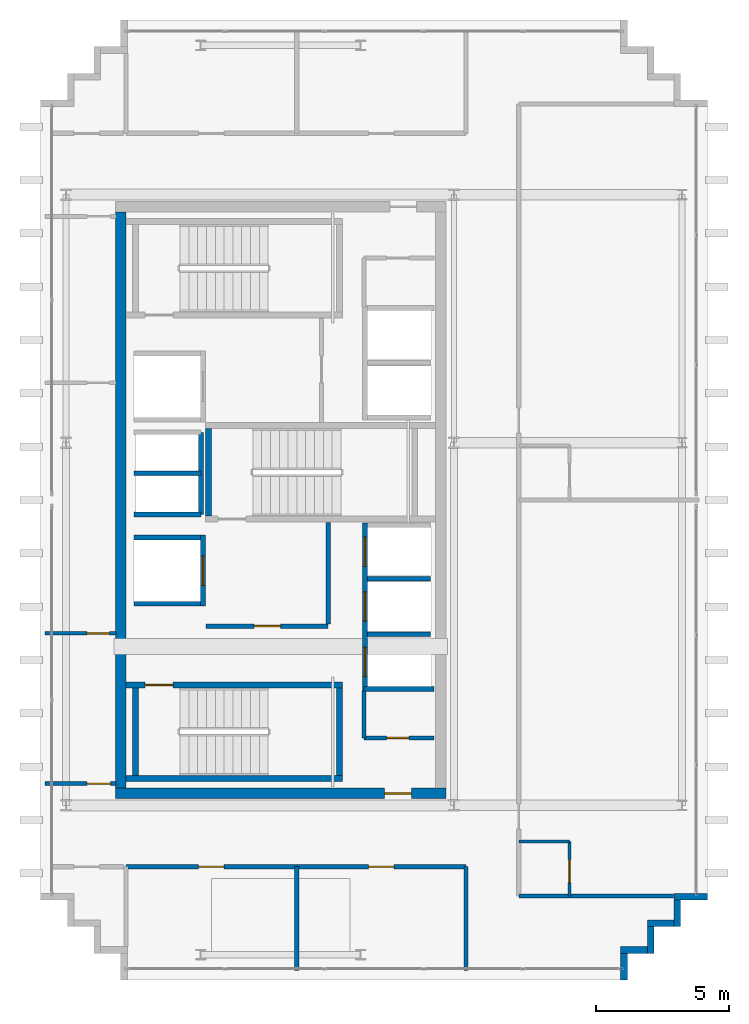
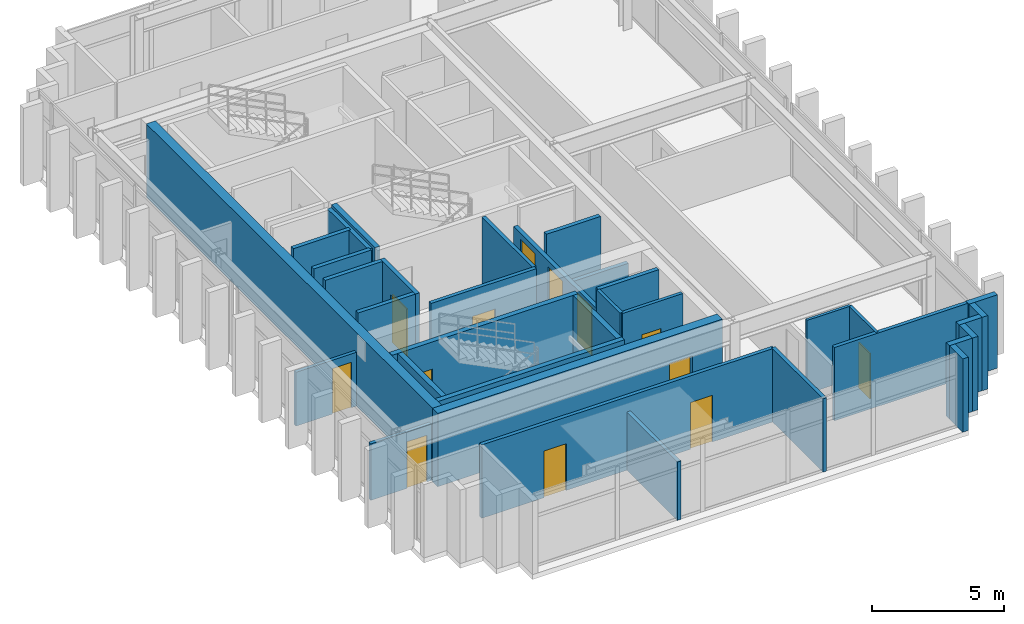
# One storey, part 12 of 15: 35 walls, 13 doors, 13 openings.
"""IFC4 building model written with IfcOpenShell, lengths in metres."""

from ifc_helpers import new_model, si_unit, direction, frame, frame_2d, origin, place, context, subcontext, project, spatial, rectangle, extrude, source, transform, mapped, material, layer, layer_set, type_object, element, fill, save


model = new_model("IFC4")

# Units and contexts
model_context = context("Model", 3, precision=1e-05, world=origin(), true_north=direction((0.0, 1.0)))
body_context = subcontext(model_context, "Body", "Model", "MODEL_VIEW")
ifc_project = project(units=[si_unit("LENGTHUNIT", "METRE"), si_unit("AREAUNIT", "SQUARE_METRE"), si_unit("VOLUMEUNIT", "CUBIC_METRE"), si_unit("PLANEANGLEUNIT", "RADIAN"), si_unit("MASSUNIT", "GRAM", prefix="KILO")], contexts=[model_context])

# Site, building, storey
site_placement = place(None, origin())
site = spatial("IfcSite", under=ifc_project, at=site_placement, CompositionType="ELEMENT")
building_placement = place(site_placement, origin())
building = spatial("IfcBuilding", under=site, at=building_placement, Name="Ocotamira Hotel", CompositionType="ELEMENT")
storey_placement = place(building_placement, frame((0.0, 0.0, 294.0)))
storey = spatial("IfcBuildingStorey", under=building, at=storey_placement, Name="L75", CompositionType="ELEMENT", Elevation=294.0)

# Wall, opening, door
ifc_material_1 = material(Name="Concrete C50/60", Category="concrete")
ifc_layer_1 = layer(ifc_material_1, 0.39990234375)
ifc_layer_set_1 = layer_set([ifc_layer_1], Name="Concrete C50/60")
wall_type_1 = type_object("IfcWallType", Name="WL-CORE-400", PredefinedType="SHEAR", material=ifc_layer_set_1)
wall_1_placement = place(storey_placement, frame((10.800048828125, 15.0, 0.0), z_axis=(0.0, 0.0, 1.0), x_axis=(1.0, 0.0, 0.0)))
wall_1 = element("IfcWall", 1, at=wall_1_placement, inside=storey, type_object=wall_type_1, Name="L75 Shear Core Wall WCORE-S", PredefinedType="SHEAR", context=body_context, shape_type="SweptSolid", body=[
    extrude(rectangle(XDim=12.39990234375, YDim=0.39990234375, at=frame_2d((6.199951171875, 0.0))), origin(), (0.0, 0.0, 1.0), 3.3798828125),
])
opening_1_placement = place(wall_1_placement, frame((10.10009765625, 0.0, 0.0)))
opening_1 = element("IfcOpeningElement", 2, at=opening_1_placement, cuts=wall_1, Name="Opening D-FR2", PredefinedType="OPENING", context=body_context, shape_type="SweptSolid", body=[
    extrude(rectangle(XDim=1.0, YDim=2.14990234375, at=frame_2d((0.5, 1.074951171875))), frame((0.0, 0.2099609375, 0.0), z_axis=(0.0, -1.0, 0.0), x_axis=(1.0, 0.0, 0.0)), (0.0, 0.0, 1.0), 0.419921875),
])
ifc_material_2 = material(Name="Fire-rated acoustic timber-veneer door", Category="wood")
door_type_1 = type_object("IfcDoorType", Name="DR-FIRE-1000", OperationType="NOTDEFINED", PredefinedType="DOOR", material=ifc_material_2)
shared_shape_1 = source(origin(), body_context, "Body", "SweptSolid", [
    extrude(rectangle(XDim=1.0, YDim=2.14990234375, at=frame_2d((0.5, 1.074951171875))), frame((0.0, 0.02490234375, 0.0), z_axis=(0.0, -1.0, 0.0), x_axis=(1.0, 0.0, 0.0)), (0.0, 0.0, 1.0), 0.050048828125),
])
door_1_placement = place(opening_1_placement, origin())
door_1 = element("IfcDoor", 3, at=door_1_placement, inside=storey, type_object=door_type_1, Name="L75 Door ID-L75-WLOB-S-D [ID-L75-WLOB-S-D]", OperationType="SINGLE_SWING_LEFT", OverallHeight=2.14990234375, OverallWidth=1.0, PredefinedType="DOOR", context=body_context, shape_type="MappedRepresentation", body=[
    mapped(shared_shape_1, transform((0.0, 0.0, 0.0), scale=1.0)),
])
fill(opening_1, door_1)

# Walls
wall_2_placement = place(storey_placement, frame((11.0, 15.199951171875, 0.0), z_axis=(0.0, 0.0, 1.0), x_axis=(0.0, 1.0, 0.0)))
element("IfcWall", 4, at=wall_2_placement, inside=storey, type_object=wall_type_1, Name="L75 Shear Core Wall WCORE-W", PredefinedType="SHEAR", context=body_context, shape_type="SweptSolid", body=[
    extrude(rectangle(XDim=21.60009765625, YDim=0.39990234375, at=frame_2d((10.800048828125, 0.0))), origin(), (0.0, 0.0, 1.0), 3.3798828125),
])
ifc_material_3 = material(Name="Precast concrete C45/55", Category="concrete")
ifc_layer_2 = layer(ifc_material_3, 0.25)
ifc_layer_set_2 = layer_set([ifc_layer_2], Name="Precast concrete C45/55")
wall_type_2 = type_object("IfcWallType", Name="WL-EXT-SER-250", PredefinedType="SOLIDWALL", material=ifc_layer_set_2)
for number, where, z_axis, x_axis, name in (
    (5, (29.875, 8.0, 0.0), (0.0, 0.0, 1.0), (0.0, 1.0, 0.0), "L75 Serrated Corner Wall 01"),
    (6, (29.75, 9.125, 0.0), (0.0, 0.0, 1.0), (1.0, 0.0, 0.0), "L75 Serrated Corner Wall 02"),
    (7, (30.875, 9.0, 0.0), (0.0, 0.0, 1.0), (0.0, 1.0, 0.0), "L75 Serrated Corner Wall 03"),
    (8, (30.75, 10.125, 0.0), (0.0, 0.0, 1.0), (1.0, 0.0, 0.0), "L75 Serrated Corner Wall 04"),
    (9, (31.875, 10.0, 0.0), (0.0, 0.0, 1.0), (0.0, 1.0, 0.0), "L75 Serrated Corner Wall 05"),
):
    element("IfcWall", number, at=place(storey_placement, frame(where, z_axis=z_axis, x_axis=x_axis)), inside=storey, type_object=wall_type_2, Name=name, PredefinedType="SOLIDWALL", context=body_context, shape_type="SweptSolid", body=[
        extrude(rectangle(XDim=1.0, YDim=0.25, at=frame_2d((0.5, 0.0))), origin(), (0.0, 0.0, 1.0), 3.3798828125),
    ])
wall_3_placement = place(storey_placement, frame((31.75, 11.125, 0.0), z_axis=(0.0, 0.0, 1.0), x_axis=(1.0, 0.0, 0.0)))
element("IfcWall", 10, at=wall_3_placement, inside=storey, type_object=wall_type_2, Name="L75 Serrated Corner Wall 06", PredefinedType="SOLIDWALL", context=body_context, shape_type="SweptSolid", body=[
    extrude(rectangle(XDim=1.25, YDim=0.25, at=frame_2d((0.625, 0.0))), origin(), (0.0, 0.0, 1.0), 3.3798828125),
])

# Wall, opening, door
ifc_material_4 = material(Name="Acoustic double-layer fire gypsum board partition", Category="gypsum")
ifc_layer_3 = layer(ifc_material_4, 0.159912109375)
ifc_layer_set_3 = layer_set([ifc_layer_3], Name="Acoustic double-layer fire gypsum board partition")
wall_type_3 = type_object("IfcWallType", Name="WL-FIRE-160", PredefinedType="PARTITIONING", material=ifc_layer_set_3)
wall_4_placement = place(storey_placement, frame((14.199951171875, 21.27001953125, 0.0), z_axis=(0.0, 0.0, 1.0), x_axis=(1.0, 0.0, 0.0)))
wall_4 = element("IfcWall", 11, at=wall_4_placement, inside=storey, type_object=wall_type_3, Name="L75 Interior Wall PW-L75-FSAE1-S", PredefinedType="PARTITIONING", context=body_context, shape_type="SweptSolid", body=[
    extrude(rectangle(XDim=4.580078125, YDim=0.159912109375, at=frame_2d((2.2900390625, 0.0))), origin(), (0.0, 0.0, 1.0), 3.3798828125),
])
opening_2_placement = place(wall_4_placement, frame((1.800048828125, 0.0, 0.0)))
opening_2 = element("IfcOpeningElement", 12, at=opening_2_placement, cuts=wall_4, Name="Opening D-FR2", PredefinedType="OPENING", context=body_context, shape_type="SweptSolid", body=[
    extrude(rectangle(XDim=1.0, YDim=2.14990234375, at=frame_2d((0.5, 1.074951171875))), frame((0.0, 0.08984375, 0.0), z_axis=(0.0, -1.0, 0.0), x_axis=(1.0, 0.0, 0.0)), (0.0, 0.0, 1.0), 0.179931640625),
])
door_2_placement = place(opening_2_placement, origin())
door_2 = element("IfcDoor", 13, at=door_2_placement, inside=storey, type_object=door_type_1, Name="L75 Door ID-L75-FSAE1-D [ID-L75-FSAE1-D]", OperationType="SINGLE_SWING_LEFT", OverallHeight=2.14990234375, OverallWidth=1.0, PredefinedType="DOOR", context=body_context, shape_type="MappedRepresentation", body=[
    mapped(shared_shape_1, transform((0.0, 0.0, 0.0), scale=1.0)),
])
fill(opening_2, door_2)

# Wall
wall_5_placement = place(storey_placement, frame((18.780029296875, 21.35009765625, 0.0), z_axis=(0.0, 0.0, 1.0), x_axis=(0.0, 1.0, 0.0)))
element("IfcWall", 14, at=wall_5_placement, inside=storey, type_object=wall_type_3, Name="L75 Interior Wall PW-L75-FSAE1-E", PredefinedType="PARTITIONING", context=body_context, shape_type="SweptSolid", body=[
    extrude(rectangle(XDim=3.809814453125, YDim=0.159912109375, at=frame_2d((1.90478515625, 0.0))), origin(), (0.0, 0.0, 1.0), 3.3798828125),
])

# Wall, openings, doors
wall_6_placement = place(storey_placement, frame((11.199951171875, 12.25, 0.0), z_axis=(0.0, 0.0, 1.0), x_axis=(1.0, 0.0, 0.0)))
wall_6 = element("IfcWall", 15, at=wall_6_placement, inside=storey, type_object=wall_type_3, Name="L75 Interior Wall PW-L75-WP2S-CORRW", PredefinedType="PARTITIONING", context=body_context, shape_type="SweptSolid", body=[
    extrude(rectangle(XDim=12.75, YDim=0.159912109375, at=frame_2d((6.375, 0.0))), origin(), (0.0, 0.0, 1.0), 3.3798828125),
])
opening_3_placement = place(wall_6_placement, frame((2.719970703125, 0.0, 0.0)))
opening_3 = element("IfcOpeningElement", 16, at=opening_3_placement, cuts=wall_6, Name="Opening D-SV4", PredefinedType="OPENING", context=body_context, shape_type="SweptSolid", body=[
    extrude(rectangle(XDim=0.9599609375, YDim=2.14990234375, at=frame_2d((0.47998046875, 1.074951171875))), frame((0.0, 0.08984375, 0.0), z_axis=(0.0, -1.0, 0.0), x_axis=(1.0, 0.0, 0.0)), (0.0, 0.0, 1.0), 0.179931640625),
])
opening_4_placement = place(wall_6_placement, frame((9.094970703125, 0.0, 0.0)))
opening_4 = element("IfcOpeningElement", 17, at=opening_4_placement, cuts=wall_6, Name="Opening D-SV4", PredefinedType="OPENING", context=body_context, shape_type="SweptSolid", body=[
    extrude(rectangle(XDim=0.9599609375, YDim=2.14990234375, at=frame_2d((0.47998046875, 1.074951171875))), frame((0.0, 0.08984375, 0.0), z_axis=(0.0, -1.0, 0.0), x_axis=(1.0, 0.0, 0.0)), (0.0, 0.0, 1.0), 0.179931640625),
])
ifc_material_5 = material(Name="Fire-rated accessible walnut salon door", Category="wood")
door_type_2 = type_object("IfcDoorType", Name="DR-SERV-960", OperationType="NOTDEFINED", PredefinedType="DOOR", material=ifc_material_5)
shared_shape_2 = source(origin(), body_context, "Body", "SweptSolid", [
    extrude(rectangle(XDim=0.9599609375, YDim=2.14990234375, at=frame_2d((0.47998046875, 1.074951171875))), frame((0.0, 0.02490234375, 0.0), z_axis=(0.0, -1.0, 0.0), x_axis=(1.0, 0.0, 0.0)), (0.0, 0.0, 1.0), 0.050048828125),
])
door_3_placement = place(opening_3_placement, origin())
door_3 = element("IfcDoor", 18, at=door_3_placement, inside=storey, type_object=door_type_2, Name="L75 Door ID-L75-WP2S-AMD1 [ID-L75-WP2S-AMD1]", OperationType="SINGLE_SWING_LEFT", OverallHeight=2.14990234375, OverallWidth=0.9599609375, PredefinedType="DOOR", context=body_context, shape_type="MappedRepresentation", body=[
    mapped(shared_shape_2, transform((0.0, 0.0, 0.0), scale=1.0)),
])
fill(opening_3, door_3)
door_4_placement = place(opening_4_placement, origin())
door_4 = element("IfcDoor", 19, at=door_4_placement, inside=storey, type_object=door_type_2, Name="L75 Door ID-L75-WP2S-AMD2 [ID-L75-WP2S-AMD2]", OperationType="SINGLE_SWING_RIGHT", OverallHeight=2.14990234375, OverallWidth=0.9599609375, PredefinedType="DOOR", context=body_context, shape_type="MappedRepresentation", body=[
    mapped(shared_shape_2, transform((0.0, 0.0, 0.0), scale=1.0)),
])
fill(opening_4, door_4)

# Wall, opening, door
ifc_material_6 = material(Name="Moisture-resistant en-suite tile and gypsum partition", Category="gypsum")
ifc_layer_4 = layer(ifc_material_6, 0.1201171875)
ifc_layer_set_4 = layer_set([ifc_layer_4], Name="Moisture-resistant en-suite tile and gypsum partition")
wall_type_4 = type_object("IfcWallType", Name="WL-PART-120", PredefinedType="PARTITIONING", material=ifc_layer_set_4)
wall_7_placement = place(storey_placement, frame((27.830078125, 11.14990234375, 0.0), z_axis=(0.0, 0.0, 1.0), x_axis=(0.0, 1.0, 0.0)))
wall_7 = element("IfcWall", 20, at=wall_7_placement, inside=storey, type_object=wall_type_4, Name="L75 Interior Wall PW-L75-WP-EBE1", PredefinedType="PARTITIONING", context=body_context, shape_type="SweptSolid", body=[
    extrude(rectangle(XDim=2.0400390625, YDim=0.1201171875, at=frame_2d((1.02001953125, 0.0))), origin(), (0.0, 0.0, 1.0), 3.3798828125),
])
opening_5_placement = place(wall_7_placement, frame((0.5, 0.0, 0.0)))
opening_5 = element("IfcOpeningElement", 21, at=opening_5_placement, cuts=wall_7, Name="Opening D-BA1", PredefinedType="OPENING", context=body_context, shape_type="SweptSolid", body=[
    extrude(rectangle(XDim=0.860107421875, YDim=2.10009765625, at=frame_2d((0.43017578125, 1.050048828125))), frame((0.0, 0.070068359375, 0.0), z_axis=(0.0, -1.0, 0.0), x_axis=(1.0, 0.0, 0.0)), (0.0, 0.0, 1.0), 0.14013671875),
])
ifc_material_7 = material(Name="Moisture-sealed en-suite timber door", Category="wood")
door_type_3 = type_object("IfcDoorType", Name="DR-BATH-860", OperationType="NOTDEFINED", PredefinedType="DOOR", material=ifc_material_7)
shared_shape_3 = source(origin(), body_context, "Body", "SweptSolid", [
    extrude(rectangle(XDim=0.860107421875, YDim=2.10009765625, at=frame_2d((0.43017578125, 1.050048828125))), frame((0.0, 0.02490234375, 0.0), z_axis=(0.0, -1.0, 0.0), x_axis=(1.0, 0.0, 0.0)), (0.0, 0.0, 1.0), 0.050048828125),
])
door_5_placement = place(opening_5_placement, origin())
door_5 = element("IfcDoor", 22, at=door_5_placement, inside=storey, type_object=door_type_3, Name="L75 Door ID-L75-WP-EBD1 [ID-L75-WP-EBD1]", OperationType="SINGLE_SWING_LEFT", OverallHeight=2.10009765625, OverallWidth=0.860107421875, PredefinedType="DOOR", context=body_context, shape_type="MappedRepresentation", body=[
    mapped(shared_shape_3, transform((0.0, 0.0, 0.0), scale=1.0)),
])
fill(opening_5, door_5)

# Walls
wall_8_placement = place(storey_placement, frame((25.929931640625, 13.18994140625, 0.0), z_axis=(0.0, 0.0, 1.0), x_axis=(1.0, 0.0, 0.0)))
element("IfcWall", 23, at=wall_8_placement, inside=storey, type_object=wall_type_4, Name="L75 Interior Wall PW-L75-WP-EBN1", PredefinedType="PARTITIONING", context=body_context, shape_type="SweptSolid", body=[
    extrude(rectangle(XDim=1.900146484375, YDim=0.1201171875, at=frame_2d((0.9501953125, 0.0))), origin(), (0.0, 0.0, 1.0), 3.3798828125),
])
ifc_material_8 = material(Name="Acoustic hospitality gypsum board partition", Category="gypsum")
ifc_layer_5 = layer(ifc_material_8, 0.14208984375)
ifc_layer_set_5 = layer_set([ifc_layer_5], Name="Acoustic hospitality gypsum board partition")
wall_type_5 = type_object("IfcWallType", Name="WL-PART-142", PredefinedType="PARTITIONING", material=ifc_layer_set_5)
wall_9_placement = place(storey_placement, frame((20.1201171875, 17.080078125, 0.0), z_axis=(0.0, 0.0, 1.0), x_axis=(0.0, 1.0, 0.0)))
element("IfcWall", 24, at=wall_9_placement, inside=storey, type_object=wall_type_5, Name="L75 Interior Wall PW-L75-WC-SE-W2", PredefinedType="PARTITIONING", context=body_context, shape_type="SweptSolid", body=[
    extrude(rectangle(XDim=1.760009765625, YDim=0.14208984375, at=frame_2d((0.8798828125, 0.0))), origin(), (0.0, 0.0, 1.0), 3.3798828125),
])

# Wall, opening, door
wall_10_placement = place(storey_placement, frame((20.1201171875, 17.080078125, 0.0), z_axis=(0.0, 0.0, 1.0), x_axis=(1.0, 0.0, 0.0)))
wall_10 = element("IfcWall", 25, at=wall_10_placement, inside=storey, type_object=wall_type_5, Name="L75 Interior Wall PW-L75-WC-SE-S2", PredefinedType="PARTITIONING", context=body_context, shape_type="SweptSolid", body=[
    extrude(rectangle(XDim=2.6298828125, YDim=0.14208984375, at=frame_2d((1.31494140625, 0.0))), origin(), (0.0, 0.0, 1.0), 3.3798828125),
])
opening_6_placement = place(wall_10_placement, frame((0.85009765625, 0.0, 0.0)))
opening_6 = element("IfcOpeningElement", 26, at=opening_6_placement, cuts=wall_10, Name="Opening D-SV1", PredefinedType="OPENING", context=body_context, shape_type="SweptSolid", body=[
    extrude(rectangle(XDim=0.840087890625, YDim=2.10009765625, at=frame_2d((0.419921875, 1.050048828125))), frame((0.0, 0.0810546875, 0.0), z_axis=(0.0, -1.0, 0.0), x_axis=(1.0, 0.0, 0.0)), (0.0, 0.0, 1.0), 0.162109375),
])
ifc_material_9 = material(Name="Fire-rated painted steel service door", Category="steel")
door_type_4 = type_object("IfcDoorType", Name="DR-SERV-840", OperationType="NOTDEFINED", PredefinedType="DOOR", material=ifc_material_9)
shared_shape_4 = source(origin(), body_context, "Body", "SweptSolid", [
    extrude(rectangle(XDim=0.840087890625, YDim=2.10009765625, at=frame_2d((0.419921875, 1.050048828125))), frame((0.0, 0.02490234375, 0.0), z_axis=(0.0, -1.0, 0.0), x_axis=(1.0, 0.0, 0.0)), (0.0, 0.0, 1.0), 0.050048828125),
])
door_6_placement = place(opening_6_placement, origin())
door_6 = element("IfcDoor", 27, at=door_6_placement, inside=storey, type_object=door_type_4, Name="L75 Door ID-L75-WC-SE-D2 [ID-L75-WC-SE-D2]", OperationType="SINGLE_SWING_LEFT", OverallHeight=2.10009765625, OverallWidth=0.840087890625, PredefinedType="DOOR", context=body_context, shape_type="MappedRepresentation", body=[
    mapped(shared_shape_4, transform((0.0, 0.0, 0.0), scale=1.0)),
])
fill(opening_6, door_6)

wall_11_placement = place(storey_placement, frame((8.159912109375, 21.0, 0.0), z_axis=(0.0, 0.0, 1.0), x_axis=(1.0, 0.0, 0.0)))
wall_11 = element("IfcWall", 28, at=wall_11_placement, inside=storey, type_object=wall_type_5, Name="L75 Interior Wall PW-L75-WP2W-DV1", PredefinedType="PARTITIONING", context=body_context, shape_type="SweptSolid", body=[
    extrude(rectangle(XDim=2.66015625, YDim=0.14208984375, at=frame_2d((1.330078125, 0.0))), origin(), (0.0, 0.0, 1.0), 2.47998046875),
])
opening_7_placement = place(wall_11_placement, frame((1.580078125, 0.0, 0.0)))
opening_7 = element("IfcOpeningElement", 29, at=opening_7_placement, cuts=wall_11, Name="Opening D-SV1", PredefinedType="OPENING", context=body_context, shape_type="SweptSolid", body=[
    extrude(rectangle(XDim=0.840087890625, YDim=2.10009765625, at=frame_2d((0.419921875, 1.050048828125))), frame((0.0, 0.0810546875, 0.0), z_axis=(0.0, -1.0, 0.0), x_axis=(1.0, 0.0, 0.0)), (0.0, 0.0, 1.0), 0.162109375),
])
door_7_placement = place(opening_7_placement, origin())
door_7 = element("IfcDoor", 30, at=door_7_placement, inside=storey, type_object=door_type_4, Name="L75 Door ID-L75-WP2W-DV1D [ID-L75-WP2W-DV1D]", OperationType="SINGLE_SWING_LEFT", OverallHeight=2.10009765625, OverallWidth=0.840087890625, PredefinedType="DOOR", context=body_context, shape_type="MappedRepresentation", body=[
    mapped(shared_shape_4, transform((0.0, 0.0, 0.0), scale=1.0)),
])
fill(opening_7, door_7)

ifc_layer_6 = layer(ifc_material_8, 0.14990234375)
ifc_layer_set_6 = layer_set([ifc_layer_6], Name="Acoustic hospitality gypsum board partition")
wall_type_6 = type_object("IfcWallType", Name="WL-PART-150", PredefinedType="PARTITIONING", material=ifc_layer_set_6)
wall_12_placement = place(storey_placement, frame((8.159912109375, 15.360107421875, 0.0), z_axis=(0.0, 0.0, 1.0), x_axis=(1.0, 0.0, 0.0)))
wall_12 = element("IfcWall", 31, at=wall_12_placement, inside=storey, type_object=wall_type_6, Name="L75 Interior Wall PW-L75-WP2W-WS", PredefinedType="PARTITIONING", context=body_context, shape_type="SweptSolid", body=[
    extrude(rectangle(XDim=2.66015625, YDim=0.14990234375, at=frame_2d((1.330078125, 0.0))), origin(), (0.0, 0.0, 1.0), 2.60107421875),
])
opening_8_placement = place(wall_12_placement, frame((1.580078125, 0.0, 0.0)))
opening_8 = element("IfcOpeningElement", 32, at=opening_8_placement, cuts=wall_12, Name="Opening D-SV2", PredefinedType="OPENING", context=body_context, shape_type="SweptSolid", body=[
    extrude(rectangle(XDim=0.8798828125, YDim=2.14990234375, at=frame_2d((0.43994140625, 1.074951171875))), frame((0.0, 0.0849609375, 0.0), z_axis=(0.0, -1.0, 0.0), x_axis=(1.0, 0.0, 0.0)), (0.0, 0.0, 1.0), 0.169921875),
])
door_type_5 = type_object("IfcDoorType", Name="DR-SERV-880", OperationType="NOTDEFINED", PredefinedType="DOOR", material=ifc_material_9)
shared_shape_5 = source(origin(), body_context, "Body", "SweptSolid", [
    extrude(rectangle(XDim=0.8798828125, YDim=2.14990234375, at=frame_2d((0.43994140625, 1.074951171875))), frame((0.0, 0.02490234375, 0.0), z_axis=(0.0, -1.0, 0.0), x_axis=(1.0, 0.0, 0.0)), (0.0, 0.0, 1.0), 0.050048828125),
])
door_8_placement = place(opening_8_placement, origin())
door_8 = element("IfcDoor", 33, at=door_8_placement, inside=storey, type_object=door_type_5, Name="L75 Door ID-L75-WP2W-DS [ID-L75-WP2W-DS]", OperationType="SINGLE_SWING_LEFT", OverallHeight=2.14990234375, OverallWidth=0.8798828125, PredefinedType="DOOR", context=body_context, shape_type="MappedRepresentation", body=[
    mapped(shared_shape_5, transform((0.0, 0.0, 0.0), scale=1.0)),
])
fill(opening_8, door_8)

# Walls
ifc_material_10 = material(Name="Acoustic double-stud hospitality gypsum partition", Category="gypsum")
ifc_layer_7 = layer(ifc_material_10, 0.159912109375)
ifc_layer_set_7 = layer_set([ifc_layer_7], Name="Acoustic double-stud hospitality gypsum partition")
wall_type_7 = type_object("IfcWallType", Name="WL-PART-160", PredefinedType="PARTITIONING", material=ifc_layer_set_7)
wall_13_placement = place(storey_placement, frame((23.949951171875, 8.360107421875, 0.0), z_axis=(0.0, 0.0, 1.0), x_axis=(0.0, 1.0, 0.0)))
element("IfcWall", 34, at=wall_13_placement, inside=storey, type_object=wall_type_7, Name="L75 Interior Wall PW-L75-WP2S-PWEND", PredefinedType="PARTITIONING", context=body_context, shape_type="SweptSolid", body=[
    extrude(rectangle(XDim=3.889892578125, YDim=0.159912109375, at=frame_2d((1.94482421875, 0.0))), origin(), (0.0, 0.0, 1.0), 3.3798828125),
])
wall_14_placement = place(storey_placement, frame((17.60009765625, 8.360107421875, 0.0), z_axis=(0.0, 0.0, 1.0), x_axis=(0.0, 1.0, 0.0)))
element("IfcWall", 35, at=wall_14_placement, inside=storey, type_object=wall_type_7, Name="L75 Interior Wall PW-L75-WP2S-PW1", PredefinedType="PARTITIONING", context=body_context, shape_type="SweptSolid", body=[
    extrude(rectangle(XDim=3.889892578125, YDim=0.159912109375, at=frame_2d((1.94482421875, 0.0))), origin(), (0.0, 0.0, 1.0), 2.68701171875),
])
wall_15_placement = place(storey_placement, frame((25.929931640625, 11.14990234375, 0.0), z_axis=(0.0, 0.0, 1.0), x_axis=(1.0, 0.0, 0.0)))
element("IfcWall", 36, at=wall_15_placement, inside=storey, type_object=wall_type_7, Name="L75 Interior Wall PW-L75-WP-EDIV0", PredefinedType="PARTITIONING", context=body_context, shape_type="SweptSolid", body=[
    extrude(rectangle(XDim=5.81005859375, YDim=0.159912109375, at=frame_2d((2.905029296875, 0.0))), origin(), (0.0, 0.0, 1.0), 3.3798828125),
])

# Wall, openings, doors
ifc_material_11 = material(Name="Fire-rated gypsum shaftliner board assembly", Category="gypsum")
ifc_layer_8 = layer(ifc_material_11, 0.179931640625)
ifc_layer_set_8 = layer_set([ifc_layer_8], Name="Fire-rated gypsum shaftliner board assembly")
wall_type_8 = type_object("IfcWallType", Name="WL-SHAFT-180", PredefinedType="SOLIDWALL", material=ifc_layer_set_8)
wall_16_placement = place(storey_placement, frame((20.159912109375, 18.820068359375, 0.0), z_axis=(0.0, 0.0, 1.0), x_axis=(0.0, 1.0, 0.0)))
wall_16 = element("IfcWall", 37, at=wall_16_placement, inside=storey, type_object=wall_type_8, Name="L75 Interior Wall PW-L75-LFW-BANK-high-F", PredefinedType="SOLIDWALL", context=body_context, shape_type="SweptSolid", body=[
    extrude(rectangle(XDim=6.31982421875, YDim=0.179931640625, at=frame_2d((3.159912109375, 0.0))), origin(), (0.0, 0.0, 1.0), 2.47998046875),
])
opening_9_placement = place(wall_16_placement, frame((0.554931640625, 0.0, 0.0)))
opening_9 = element("IfcOpeningElement", 38, at=opening_9_placement, cuts=wall_16, Name="Opening LD-LF-P7", PredefinedType="OPENING", context=body_context, shape_type="SweptSolid", body=[
    extrude(rectangle(XDim=1.10009765625, YDim=2.199951171875, at=frame_2d((0.550048828125, 1.10009765625))), frame((0.0, 0.10009765625, 0.0), z_axis=(0.0, -1.0, 0.0), x_axis=(1.0, 0.0, 0.0)), (0.0, 0.0, 1.0), 0.199951171875),
])
opening_10_placement = place(wall_16_placement, frame((2.635009765625, 0.0, 0.0)))
opening_10 = element("IfcOpeningElement", 39, at=opening_10_placement, cuts=wall_16, Name="Opening LD-LF-P8", PredefinedType="OPENING", context=body_context, shape_type="SweptSolid", body=[
    extrude(rectangle(XDim=1.10009765625, YDim=2.199951171875, at=frame_2d((0.550048828125, 1.10009765625))), frame((0.0, 0.10009765625, 0.0), z_axis=(0.0, -1.0, 0.0), x_axis=(1.0, 0.0, 0.0)), (0.0, 0.0, 1.0), 0.199951171875),
])
opening_11_placement = place(wall_16_placement, frame((4.68994140625, 0.0, 0.0)))
opening_11 = element("IfcOpeningElement", 40, at=opening_11_placement, cuts=wall_16, Name="Opening LD-LF-P9", PredefinedType="OPENING", context=body_context, shape_type="SweptSolid", body=[
    extrude(rectangle(XDim=1.10009765625, YDim=2.199951171875, at=frame_2d((0.550048828125, 1.10009765625))), frame((0.0, 0.10009765625, 0.0), z_axis=(0.0, -1.0, 0.0), x_axis=(1.0, 0.0, 0.0)), (0.0, 0.0, 1.0), 0.199951171875),
])
ifc_material_12 = material(Name="Brushed pale-metal stainless elevator landing door", Category="steel")
door_type_6 = type_object("IfcDoorType", Name="DR-LIFT-1100", OperationType="NOTDEFINED", PredefinedType="DOOR", material=ifc_material_12)
shared_shape_6 = source(origin(), body_context, "Body", "SweptSolid", [
    extrude(rectangle(XDim=1.10009765625, YDim=2.199951171875, at=frame_2d((0.550048828125, 1.10009765625))), frame((0.0, 0.02490234375, 0.0), z_axis=(0.0, -1.0, 0.0), x_axis=(1.0, 0.0, 0.0)), (0.0, 0.0, 1.0), 0.050048828125),
])
door_9_placement = place(opening_9_placement, origin())
door_9 = element("IfcDoor", 41, at=door_9_placement, inside=storey, type_object=door_type_6, Name="L75 Landing Door LD-LF-P7 [ID-L75-LD-LF-P7]", OperationType="DOUBLE_DOOR_SLIDING", OverallHeight=2.199951171875, OverallWidth=1.10009765625, PredefinedType="DOOR", context=body_context, shape_type="MappedRepresentation", body=[
    mapped(shared_shape_6, transform((0.0, 0.0, 0.0), scale=1.0)),
])
fill(opening_9, door_9)
door_10_placement = place(opening_10_placement, origin())
door_10 = element("IfcDoor", 42, at=door_10_placement, inside=storey, type_object=door_type_6, Name="L75 Landing Door LD-LF-P8 [ID-L75-LD-LF-P8]", OperationType="DOUBLE_DOOR_SLIDING", OverallHeight=2.199951171875, OverallWidth=1.10009765625, PredefinedType="DOOR", context=body_context, shape_type="MappedRepresentation", body=[
    mapped(shared_shape_6, transform((0.0, 0.0, 0.0), scale=1.0)),
])
fill(opening_10, door_10)
door_11_placement = place(opening_11_placement, origin())
door_11 = element("IfcDoor", 43, at=door_11_placement, inside=storey, type_object=door_type_6, Name="L75 Landing Door LD-LF-P9 [ID-L75-LD-LF-P9]", OperationType="DOUBLE_DOOR_SLIDING", OverallHeight=2.199951171875, OverallWidth=1.10009765625, PredefinedType="DOOR", context=body_context, shape_type="MappedRepresentation", body=[
    mapped(shared_shape_6, transform((0.0, 0.0, 0.0), scale=1.0)),
])
fill(opening_11, door_11)

# Walls
wall_17_placement = place(storey_placement, frame((20.1201171875, 18.909912109375, 0.0), z_axis=(0.0, 0.0, 1.0), x_axis=(1.0, 0.0, 0.0)))
element("IfcWall", 44, at=wall_17_placement, inside=storey, type_object=wall_type_8, Name="L75 Interior Wall PW-L75-LFW-BANK-high-S", PredefinedType="SOLIDWALL", context=body_context, shape_type="SweptSolid", body=[
    extrude(rectangle(XDim=2.6298828125, YDim=0.179931640625, at=frame_2d((1.31494140625, 0.0))), origin(), (0.0, 0.0, 1.0), 3.3798828125),
])
wall_18_placement = place(storey_placement, frame((20.25, 20.965087890625, 0.0), z_axis=(0.0, 0.0, 1.0), x_axis=(1.0, 0.0, 0.0)))
element("IfcWall", 45, at=wall_18_placement, inside=storey, type_object=wall_type_8, Name="L75 Interior Wall PW-L75-LFW-DIV-LF-P7", PredefinedType="SOLIDWALL", context=body_context, shape_type="SweptSolid", body=[
    extrude(rectangle(XDim=2.360107421875, YDim=0.179931640625, at=frame_2d((1.18017578125, 0.0))), origin(), (0.0, 0.0, 1.0), 2.47998046875),
])
wall_19_placement = place(storey_placement, frame((20.25, 23.044921875, 0.0), z_axis=(0.0, 0.0, 1.0), x_axis=(1.0, 0.0, 0.0)))
element("IfcWall", 46, at=wall_19_placement, inside=storey, type_object=wall_type_8, Name="L75 Interior Wall PW-L75-LFW-DIV-LF-P8", PredefinedType="SOLIDWALL", context=body_context, shape_type="SweptSolid", body=[
    extrude(rectangle(XDim=2.360107421875, YDim=0.179931640625, at=frame_2d((1.18017578125, 0.0))), origin(), (0.0, 0.0, 1.0), 3.3798828125),
])
for number, where, z_axis, x_axis, name in (
    (47, (11.5, 22.110107421875, 0.0), (0.0, 0.0, 1.0), (1.0, 0.0, 0.0), "L75 Interior Wall PW-L75-LFW-LF-FSAE1-S"),
    (48, (11.5, 24.590087890625, 0.0), (0.0, 0.0, 1.0), (1.0, 0.0, 0.0), "L75 Interior Wall PW-L75-LFW-LF-FSAE1-N"),
):
    element("IfcWall", number, at=place(storey_placement, frame(where, z_axis=z_axis, x_axis=x_axis)), inside=storey, type_object=wall_type_8, Name=name, PredefinedType="SOLIDWALL", context=body_context, shape_type="SweptSolid", body=[
        extrude(rectangle(XDim=2.5, YDim=0.179931640625, at=frame_2d((1.25, 0.0))), origin(), (0.0, 0.0, 1.0), 3.3798828125),
    ])

# Wall, opening, door
wall_20_placement = place(storey_placement, frame((14.090087890625, 22.02001953125, 0.0), z_axis=(0.0, 0.0, 1.0), x_axis=(0.0, 1.0, 0.0)))
wall_20 = element("IfcWall", 49, at=wall_20_placement, inside=storey, type_object=wall_type_8, Name="L75 Interior Wall PW-L75-LFW-LF-FSAE1-E", PredefinedType="SOLIDWALL", context=body_context, shape_type="SweptSolid", body=[
    extrude(rectangle(XDim=2.659912109375, YDim=0.179931640625, at=frame_2d((1.330078125, 0.0))), origin(), (0.0, 0.0, 1.0), 3.3798828125),
])
opening_12_placement = place(wall_20_placement, frame((0.780029296875, 0.0, 0.0)))
opening_12 = element("IfcOpeningElement", 50, at=opening_12_placement, cuts=wall_20, Name="Opening LD-LF-FSAE1", PredefinedType="OPENING", context=body_context, shape_type="SweptSolid", body=[
    extrude(rectangle(XDim=1.10009765625, YDim=2.199951171875, at=frame_2d((0.550048828125, 1.10009765625))), frame((0.0, 0.10009765625, 0.0), z_axis=(0.0, -1.0, 0.0), x_axis=(1.0, 0.0, 0.0)), (0.0, 0.0, 1.0), 0.199951171875),
])
door_12_placement = place(opening_12_placement, origin())
door_12 = element("IfcDoor", 51, at=door_12_placement, inside=storey, type_object=door_type_6, Name="L75 Landing Door LD-LF-FSAE1 [ID-L75-LD-LF-FSAE1]", OperationType="DOUBLE_DOOR_SLIDING", OverallHeight=2.199951171875, OverallWidth=1.10009765625, PredefinedType="DOOR", context=body_context, shape_type="MappedRepresentation", body=[
    mapped(shared_shape_6, transform((0.0, 0.0, 0.0), scale=1.0)),
])
fill(opening_12, door_12)

# Walls
for number, where, z_axis, x_axis, name in (
    (52, (11.5, 25.4599609375, 0.0), (0.0, 0.0, 1.0), (1.0, 0.0, 0.0), "L75 Interior Wall PW-L75-RSW-S"),
    (53, (11.5, 27.0, 0.0), (0.0, 0.0, 1.0), (1.0, 0.0, 0.0), "L75 Interior Wall PW-L75-RSW-MID"),
):
    element("IfcWall", number, at=place(storey_placement, frame(where, z_axis=z_axis, x_axis=x_axis)), inside=storey, type_object=wall_type_8, Name=name, PredefinedType="SOLIDWALL", context=body_context, shape_type="SweptSolid", body=[
        extrude(rectangle(XDim=2.510009765625, YDim=0.179931640625, at=frame_2d((1.2548828125, 0.0))), origin(), (0.0, 0.0, 1.0), 3.3798828125),
    ])
wall_21_placement = place(storey_placement, frame((14.010009765625, 25.4599609375, 0.0), z_axis=(0.0, 0.0, 1.0), x_axis=(0.0, 1.0, 0.0)))
element("IfcWall", 54, at=wall_21_placement, inside=storey, type_object=wall_type_8, Name="L75 Interior Wall PW-L75-RSW-E", PredefinedType="SOLIDWALL", context=body_context, shape_type="SweptSolid", body=[
    extrude(rectangle(XDim=3.080078125, YDim=0.179931640625, at=frame_2d((1.5400390625, 0.0))), origin(), (0.0, 0.0, 1.0), 3.3798828125),
])
ifc_layer_9 = layer(ifc_material_1, 0.219970703125)
ifc_layer_set_9 = layer_set([ifc_layer_9], Name="Concrete C50/60")
wall_type_9 = type_object("IfcWallType", Name="WL-STAIR-220", PredefinedType="SHEAR", material=ifc_layer_set_9)
wall_22_placement = place(storey_placement, frame((11.199951171875, 15.56005859375, 0.0), z_axis=(0.0, 0.0, 1.0), x_axis=(1.0, 0.0, 0.0)))
element("IfcWall", 55, at=wall_22_placement, inside=storey, type_object=wall_type_9, Name="L75 Stair Shaft Structural Wall ST-1-S", PredefinedType="SHEAR", context=body_context, shape_type="SweptSolid", body=[
    extrude(rectangle(XDim=8.110107421875, YDim=0.219970703125, at=frame_2d((4.05517578125, 0.0))), origin(), (0.0, 0.0, 1.0), 3.39990234375),
])

# Wall, opening, door
wall_23_placement = place(storey_placement, frame((11.199951171875, 19.06005859375, 0.0), z_axis=(0.0, 0.0, 1.0), x_axis=(1.0, 0.0, 0.0)))
wall_23 = element("IfcWall", 56, at=wall_23_placement, inside=storey, type_object=wall_type_9, Name="L75 Stair Shaft Structural Wall ST-1-N", PredefinedType="SHEAR", context=body_context, shape_type="SweptSolid", body=[
    extrude(rectangle(XDim=8.110107421875, YDim=0.219970703125, at=frame_2d((4.05517578125, 0.0))), origin(), (0.0, 0.0, 1.0), 3.39990234375),
])
opening_13_placement = place(wall_23_placement, frame((0.719970703125, 0.0, 0.0)))
opening_13 = element("IfcOpeningElement", 57, at=opening_13_placement, cuts=wall_23, Name="Opening D-ST2", PredefinedType="OPENING", context=body_context, shape_type="SweptSolid", body=[
    extrude(rectangle(XDim=1.050048828125, YDim=2.14990234375, at=frame_2d((0.52490234375, 1.074951171875))), frame((0.0, 0.1201171875, 0.0), z_axis=(0.0, -1.0, 0.0), x_axis=(1.0, 0.0, 0.0)), (0.0, 0.0, 1.0), 0.239990234375),
])
ifc_material_13 = material(Name="Insulated painted hollow-metal fire exit door", Category="steel")
door_type_7 = type_object("IfcDoorType", Name="DR-STAIR-1050", OperationType="NOTDEFINED", PredefinedType="DOOR", material=ifc_material_13)
shared_shape_7 = source(origin(), body_context, "Body", "SweptSolid", [
    extrude(rectangle(XDim=1.050048828125, YDim=2.14990234375, at=frame_2d((0.52490234375, 1.074951171875))), frame((0.0, 0.02490234375, 0.0), z_axis=(0.0, -1.0, 0.0), x_axis=(1.0, 0.0, 0.0)), (0.0, 0.0, 1.0), 0.050048828125),
])
door_13_placement = place(opening_13_placement, origin())
door_13 = element("IfcDoor", 58, at=door_13_placement, inside=storey, type_object=door_type_7, Name="L75 Door ID-L75-STD-ST-1 [ID-L75-STD-ST-1]", OperationType="SINGLE_SWING_RIGHT", OverallHeight=2.14990234375, OverallWidth=1.050048828125, PredefinedType="DOOR", context=body_context, shape_type="MappedRepresentation", body=[
    mapped(shared_shape_7, transform((0.0, 0.0, 0.0), scale=1.0)),
])
fill(opening_13, door_13)

# Walls
for number, where, z_axis, x_axis, name in (
    (59, (11.56005859375, 15.669921875, 0.0), (0.0, 0.0, 1.0), (0.0, 1.0, 0.0), "L75 Stair Shaft Structural Wall ST-1-W"),
    (60, (19.199951171875, 15.669921875, 0.0), (0.0, 0.0, 1.0), (0.0, 1.0, 0.0), "L75 Stair Shaft Structural Wall ST-1-E"),
    (61, (14.2900390625, 25.39990234375, 0.0), (0.0, 0.0, 1.0), (0.0, 1.0, 0.0), "L75 Stair Shaft Structural Wall ST-3-W"),
):
    element("IfcWall", number, at=place(storey_placement, frame(where, z_axis=z_axis, x_axis=x_axis)), inside=storey, type_object=wall_type_9, Name=name, PredefinedType="SHEAR", context=body_context, shape_type="SweptSolid", body=[
        extrude(rectangle(XDim=3.280029296875, YDim=0.219970703125, at=frame_2d((1.64013671875, 0.0))), origin(), (0.0, 0.0, 1.0), 3.39990234375),
    ])

save(model, "model.ifc")
